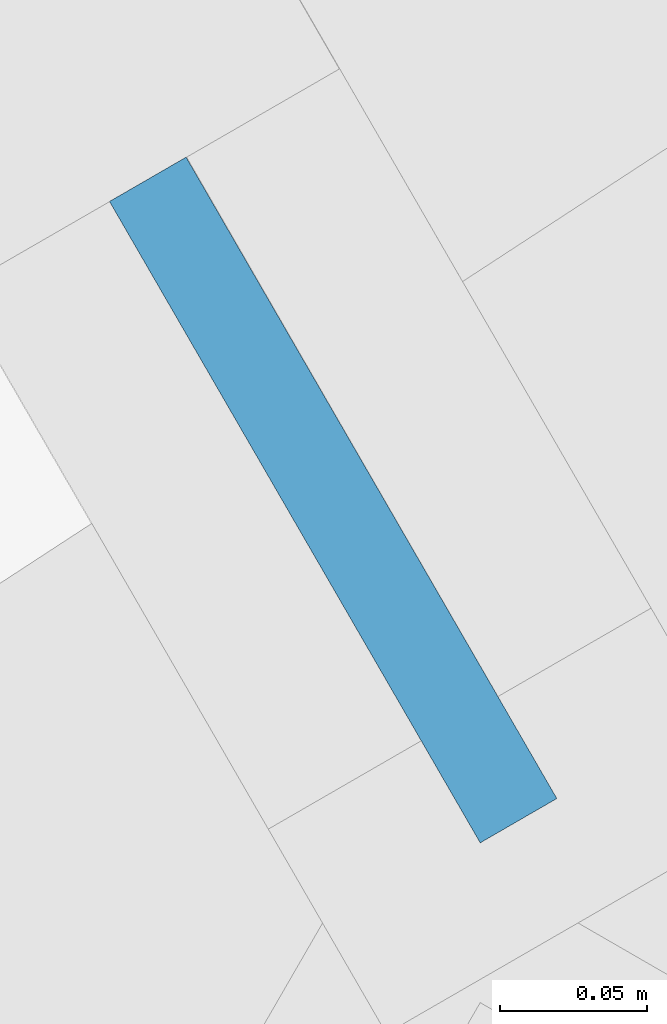
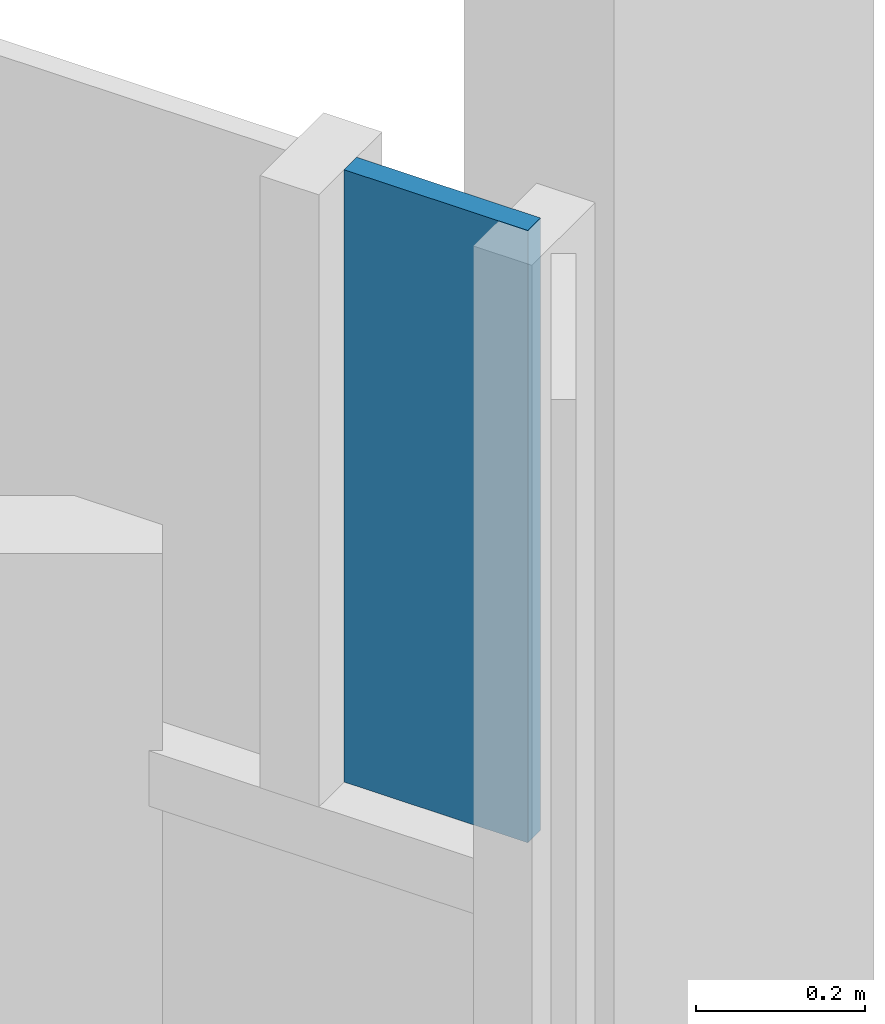
# One storey, part 17 of 23: 1 plate, 1 element without a shape of its own.
"""IFC4 building model written with IfcOpenShell, lengths in metres."""

from ifc_helpers import new_model, si_unit, direction, frame, origin, place, context, subcontext, project, spatial, polyline, outline, extrude, material, layer, layer_set, type_object, element, aggregate, save


model = new_model("IFC4")

# Units and contexts
model_context = context("Model", 3, precision=1e-05, world=origin(), true_north=direction((0.0, 1.0)))
body_context = subcontext(model_context, "Body", "Model", "MODEL_VIEW")
ifc_project = project(units=[si_unit("LENGTHUNIT", "METRE"), si_unit("AREAUNIT", "SQUARE_METRE"), si_unit("VOLUMEUNIT", "CUBIC_METRE"), si_unit("PLANEANGLEUNIT", "RADIAN"), si_unit("MASSUNIT", "GRAM", prefix="KILO")], contexts=[model_context])

# Site, building, storey
site_placement = place(None, origin())
site = spatial("IfcSite", under=ifc_project, at=site_placement, CompositionType="ELEMENT")
building_placement = place(site_placement, origin())
building = spatial("IfcBuilding", under=site, at=building_placement, Name="Firuza Gate Tower and Library", CompositionType="ELEMENT")
storey_placement = place(building_placement, frame((0.0, 0.0, 302.10009765625)))
storey = spatial("IfcBuildingStorey", under=building, at=storey_placement, Name="L73", CompositionType="ELEMENT", Elevation=302.10009765625)

# Curtain wall, plate
ifc_material_1 = material(Name="Aluminium 6063-T6", Category="aluminium")
ifc_layer_1 = layer(ifc_material_1, 0.14990234375)
ifc_layer_set_1 = layer_set([ifc_layer_1], Name="Unitised curtain wall, residences")
curtain_wall_type = type_object("IfcCurtainWallType", Name="Unitised curtain wall, residences", PredefinedType="NOTDEFINED", material=ifc_layer_set_1)
curtain_wall_placement = place(storey_placement, origin())
curtain_wall = element("IfcCurtainWall", 1, at=curtain_wall_placement, inside=storey, type_object=curtain_wall_type, Name="CW3 L73 E face", PredefinedType="NOTDEFINED")
ifc_material_2 = material(Name="Glazed ceramic tile")
ifc_layer_2 = layer(ifc_material_2, 0.030029296875)
ifc_layer_set_2 = layer_set([ifc_layer_2], Name="Opaque ceramic panel, residences")
plate_type = type_object("IfcPlateType", Name="Opaque ceramic panel, residences", PredefinedType="CURTAIN_PANEL", material=ifc_layer_set_2)
plate_placement = place(storey_placement, frame((100.015625, 64.80224609375, 2.414794921875), z_axis=(0.865780878536, 0.500423291185, 0.0), x_axis=(-0.500423291185, 0.865780878536, 0.0)))
plate = element("IfcPlate", 2, at=plate_placement, type_object=plate_type, Name="Opaque ceramic panel", PredefinedType="CURTAIN_PANEL", context=body_context, shape_type="SweptSolid", body=[
    extrude(outline(polyline([(0.0, 0.0), (0.2512521381192305, 0.0), (0.2512521381192305, 0.885009765625), (0.0, 0.885009765625), (0.0, 0.0)])), origin(), (0.0, 0.0, -1.0), 0.030029296875),
])
aggregate(curtain_wall, [plate])

save(model, "model.ifc")
